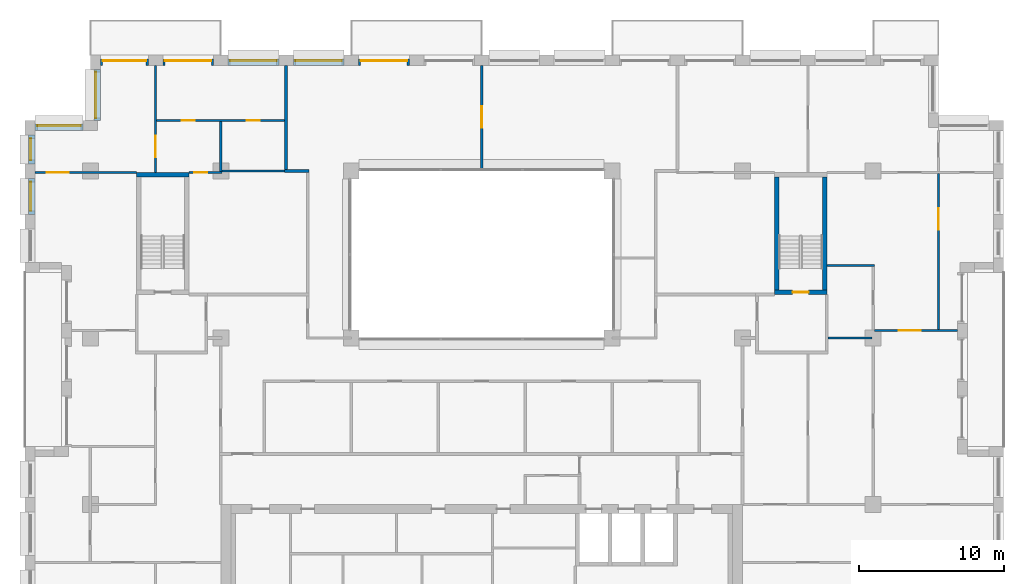
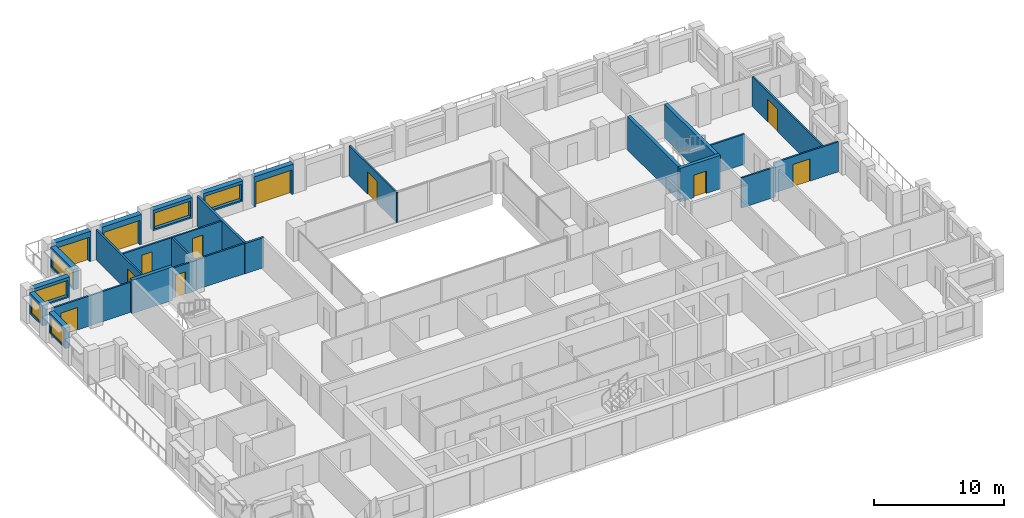
# One storey, part 12 of 16: 26 walls, 12 doors, 6 windows, 18 openings.
"""IFC4 building model written with IfcOpenShell, lengths in metres."""

from ifc_helpers import new_model, si_unit, direction, frame, frame_2d, origin, place, context, subcontext, project, spatial, rectangle, extrude, material, layer, layer_set, type_object, element, fill, save


model = new_model("IFC4")

# Units and contexts
model_context = context("Model", 3, precision=1e-05, world=origin(), true_north=direction((0.0, 1.0)))
body_context = subcontext(model_context, "Body", "Model", "MODEL_VIEW")
ifc_project = project(units=[si_unit("LENGTHUNIT", "METRE"), si_unit("AREAUNIT", "SQUARE_METRE"), si_unit("VOLUMEUNIT", "CUBIC_METRE"), si_unit("PLANEANGLEUNIT", "RADIAN"), si_unit("MASSUNIT", "GRAM", prefix="KILO")], contexts=[model_context])

# Site, building, storey
site_placement = place(None, origin())
site = spatial("IfcSite", under=ifc_project, at=site_placement, CompositionType="ELEMENT")
building_placement = place(site_placement, origin())
building = spatial("IfcBuilding", under=site, at=building_placement, Name="Brigalow Station Residences", CompositionType="ELEMENT")
storey_placement = place(building_placement, frame((0.0, 0.0, 163.35009765625)))
storey = spatial("IfcBuildingStorey", under=building, at=storey_placement, Name="L47", CompositionType="ELEMENT", Elevation=163.35009765625)

# Wall, opening, door
ifc_material_1 = material(Name="Clay brick masonry", Category="masonry")
ifc_layer_1 = layer(ifc_material_1, 0.449951171875)
ifc_layer_set_1 = layer_set([ifc_layer_1], Name="BRICK INFILL WALL 450")
wall_type_1 = type_object("IfcWallType", Name="BRICK INFILL WALL 450", PredefinedType="SOLIDWALL", material=ifc_layer_set_1)
wall_1_placement = place(storey_placement, frame((31.0, 43.02490234375, 0.0), z_axis=(0.0, 0.0, 1.0), x_axis=(-1.0, 0.0, 0.0)))
wall_1 = element("IfcWall", 1, at=wall_1_placement, inside=storey, type_object=wall_type_1, Name="L47/ewall/W-L47-30", PredefinedType="SOLIDWALL", context=body_context, shape_type="SweptSolid", body=[
    extrude(rectangle(XDim=3.5, YDim=0.449951171875, at=frame_2d((1.75, 0.0))), origin(), (0.0, 0.0, 1.0), 2.829833984375),
])
opening_1_placement = place(wall_1_placement, frame((0.14990234375, 0.0, 0.0)))
opening_1 = element("IfcOpeningElement", 2, at=opening_1_placement, cuts=wall_1, Name="Opening D-B3200", PredefinedType="OPENING", context=body_context, shape_type="SweptSolid", body=[
    extrude(rectangle(XDim=3.199951171875, YDim=2.300048828125, at=frame_2d((1.60009765625, 1.14990234375))), frame((0.0, 0.23486328125, 0.0), z_axis=(0.0, -1.0, 0.0), x_axis=(1.0, 0.0, 0.0)), (0.0, 0.0, 1.0), 0.469970703125),
])
ifc_material_2 = material(Name="Anodised aluminium frame with double glazing", Category="aluminium")
door_type_1 = type_object("IfcDoorType", Name="BALCONY SLIDING DOOR 3200x2300", OperationType="SLIDING_TO_LEFT", PredefinedType="DOOR", material=ifc_material_2)
door_1_placement = place(opening_1_placement, origin())
door_1 = element("IfcDoor", 3, at=door_1_placement, inside=storey, type_object=door_type_1, Name="L47/balcony-door/W-L47-30", OperationType="SLIDING_TO_LEFT", OverallHeight=2.300048828125, OverallWidth=3.199951171875, PredefinedType="DOOR", context=body_context, shape_type="SweptSolid", body=[
    extrude(rectangle(XDim=3.199951171875, YDim=2.300048828125, at=frame_2d((1.60009765625, 1.14990234375))), frame((0.0, -0.06982421875, 0.0), z_axis=(0.0, -1.0, 0.0), x_axis=(1.0, 0.0, 0.0)), (0.0, 0.0, 1.0), 0.050048828125),
])
fill(opening_1, door_1)

# Wall, opening, window
wall_2_placement = place(storey_placement, frame((26.5, 43.02490234375, 0.89990234375), z_axis=(0.0, 0.0, 1.0), x_axis=(-1.0, 0.0, 0.0)))
wall_2 = element("IfcWall", 4, at=wall_2_placement, inside=storey, type_object=wall_type_1, Name="L47/ewall/W-L47-31", PredefinedType="SOLIDWALL", context=body_context, shape_type="SweptSolid", body=[
    extrude(rectangle(XDim=3.5, YDim=0.449951171875, at=frame_2d((1.75, 0.0))), origin(), (0.0, 0.0, 1.0), 1.929931640625),
])
opening_2_placement = place(wall_2_placement, frame((0.14990234375, 0.0, 0.14990234375)))
opening_2 = element("IfcOpeningElement", 5, at=opening_2_placement, cuts=wall_2, Name="Opening WT-9", PredefinedType="OPENING", context=body_context, shape_type="SweptSolid", body=[
    extrude(rectangle(XDim=3.199951171875, YDim=1.5, at=frame_2d((1.60009765625, 0.75))), frame((0.0, 0.23486328125, 0.0), z_axis=(0.0, -1.0, 0.0), x_axis=(1.0, 0.0, 0.0)), (0.0, 0.0, 1.0), 0.469970703125),
])
ifc_material_3 = material(Name="Anodised aluminium frame with double glazing", Category="aluminium")
window_type_1 = type_object("IfcWindowType", Name="WINDOW 3200x1500", PartitioningType="SINGLE_PANEL", PredefinedType="WINDOW", material=ifc_material_3)
window_1_placement = place(opening_2_placement, origin())
window_1 = element("IfcWindow", 6, at=window_1_placement, inside=storey, type_object=window_type_1, Name="L47/window/W-L47-31", OverallHeight=1.5, OverallWidth=3.199951171875, PartitioningType="SINGLE_PANEL", PredefinedType="WINDOW", context=body_context, shape_type="SweptSolid", body=[
    extrude(rectangle(XDim=3.199951171875, YDim=1.5, at=frame_2d((1.60009765625, 0.75))), frame((0.0, -0.06494140625, 0.0), z_axis=(0.0, -1.0, 0.0), x_axis=(1.0, 0.0, 0.0)), (0.0, 0.0, 1.0), 0.06005859375),
])
fill(opening_2, window_1)

wall_3_placement = place(storey_placement, frame((22.0, 43.02490234375, 0.89990234375), z_axis=(0.0, 0.0, 1.0), x_axis=(-1.0, 0.0, 0.0)))
wall_3 = element("IfcWall", 7, at=wall_3_placement, inside=storey, type_object=wall_type_1, Name="L47/ewall/W-L47-32", PredefinedType="SOLIDWALL", context=body_context, shape_type="SweptSolid", body=[
    extrude(rectangle(XDim=3.5, YDim=0.449951171875, at=frame_2d((1.75, 0.0))), origin(), (0.0, 0.0, 1.0), 1.929931640625),
])
opening_3_placement = place(wall_3_placement, frame((0.14990234375, 0.0, 0.14990234375)))
opening_3 = element("IfcOpeningElement", 8, at=opening_3_placement, cuts=wall_3, Name="Opening WT-9", PredefinedType="OPENING", context=body_context, shape_type="SweptSolid", body=[
    extrude(rectangle(XDim=3.199951171875, YDim=1.5, at=frame_2d((1.60009765625, 0.75))), frame((0.0, 0.23486328125, 0.0), z_axis=(0.0, -1.0, 0.0), x_axis=(1.0, 0.0, 0.0)), (0.0, 0.0, 1.0), 0.469970703125),
])
window_2_placement = place(opening_3_placement, origin())
window_2 = element("IfcWindow", 9, at=window_2_placement, inside=storey, type_object=window_type_1, Name="L47/window/W-L47-32", OverallHeight=1.5, OverallWidth=3.199951171875, PartitioningType="SINGLE_PANEL", PredefinedType="WINDOW", context=body_context, shape_type="SweptSolid", body=[
    extrude(rectangle(XDim=3.199951171875, YDim=1.5, at=frame_2d((1.60009765625, 0.75))), frame((0.0, -0.06494140625, 0.0), z_axis=(0.0, -1.0, 0.0), x_axis=(1.0, 0.0, 0.0)), (0.0, 0.0, 1.0), 0.06005859375),
])
fill(opening_3, window_2)

# Wall, opening, door
wall_4_placement = place(storey_placement, frame((17.5, 43.02490234375, 0.0), z_axis=(0.0, 0.0, 1.0), x_axis=(-1.0, 0.0, 0.0)))
wall_4 = element("IfcWall", 10, at=wall_4_placement, inside=storey, type_object=wall_type_1, Name="L47/ewall/W-L47-33", PredefinedType="SOLIDWALL", context=body_context, shape_type="SweptSolid", body=[
    extrude(rectangle(XDim=3.5, YDim=0.449951171875, at=frame_2d((1.75, 0.0))), origin(), (0.0, 0.0, 1.0), 2.829833984375),
])
opening_4_placement = place(wall_4_placement, frame((0.14990234375, 0.0, 0.0)))
opening_4 = element("IfcOpeningElement", 11, at=opening_4_placement, cuts=wall_4, Name="Opening D-B3200", PredefinedType="OPENING", context=body_context, shape_type="SweptSolid", body=[
    extrude(rectangle(XDim=3.199951171875, YDim=2.300048828125, at=frame_2d((1.60009765625, 1.14990234375))), frame((0.0, 0.23486328125, 0.0), z_axis=(0.0, -1.0, 0.0), x_axis=(1.0, 0.0, 0.0)), (0.0, 0.0, 1.0), 0.469970703125),
])
door_2_placement = place(opening_4_placement, origin())
door_2 = element("IfcDoor", 12, at=door_2_placement, inside=storey, type_object=door_type_1, Name="L47/balcony-door/W-L47-33", OperationType="SLIDING_TO_LEFT", OverallHeight=2.300048828125, OverallWidth=3.199951171875, PredefinedType="DOOR", context=body_context, shape_type="SweptSolid", body=[
    extrude(rectangle(XDim=3.199951171875, YDim=2.300048828125, at=frame_2d((1.60009765625, 1.14990234375))), frame((0.0, -0.06982421875, 0.0), z_axis=(0.0, -1.0, 0.0), x_axis=(1.0, 0.0, 0.0)), (0.0, 0.0, 1.0), 0.050048828125),
])
fill(opening_4, door_2)

wall_5_placement = place(storey_placement, frame((13.0, 43.02490234375, 0.0), z_axis=(0.0, 0.0, 1.0), x_axis=(-1.0, 0.0, 0.0)))
wall_5 = element("IfcWall", 13, at=wall_5_placement, inside=storey, type_object=wall_type_1, Name="L47/ewall/W-L47-34", PredefinedType="SOLIDWALL", context=body_context, shape_type="SweptSolid", body=[
    extrude(rectangle(XDim=3.300048828125, YDim=0.449951171875, at=frame_2d((1.64990234375, 0.0))), origin(), (0.0, 0.0, 1.0), 2.829833984375),
])
opening_5_placement = place(wall_5_placement, frame((0.14990234375, 0.0, 0.0)))
opening_5 = element("IfcOpeningElement", 14, at=opening_5_placement, cuts=wall_5, Name="Opening D-B3000", PredefinedType="OPENING", context=body_context, shape_type="SweptSolid", body=[
    extrude(rectangle(XDim=3.0, YDim=2.300048828125, at=frame_2d((1.5, 1.14990234375))), frame((0.0, 0.23486328125, 0.0), z_axis=(0.0, -1.0, 0.0), x_axis=(1.0, 0.0, 0.0)), (0.0, 0.0, 1.0), 0.469970703125),
])
ifc_material_4 = material(Name="Anodised aluminium frame with double glazing", Category="aluminium")
door_type_2 = type_object("IfcDoorType", Name="BALCONY SLIDING DOOR 3000x2300", OperationType="SLIDING_TO_LEFT", PredefinedType="DOOR", material=ifc_material_4)
door_3_placement = place(opening_5_placement, origin())
door_3 = element("IfcDoor", 15, at=door_3_placement, inside=storey, type_object=door_type_2, Name="L47/balcony-door/W-L47-34", OperationType="SLIDING_TO_LEFT", OverallHeight=2.300048828125, OverallWidth=3.0, PredefinedType="DOOR", context=body_context, shape_type="SweptSolid", body=[
    extrude(rectangle(XDim=3.0, YDim=2.300048828125, at=frame_2d((1.5, 1.14990234375))), frame((0.0, -0.06982421875, 0.0), z_axis=(0.0, -1.0, 0.0), x_axis=(1.0, 0.0, 0.0)), (0.0, 0.0, 1.0), 0.050048828125),
])
fill(opening_5, door_3)

# Wall, opening, window
wall_6_placement = place(storey_placement, frame((9.47509765625, 42.5, 0.89990234375), z_axis=(0.0, 0.0, 1.0), x_axis=(0.0, -1.0, 0.0)))
wall_6 = element("IfcWall", 16, at=wall_6_placement, inside=storey, type_object=wall_type_1, Name="L47/ewall/W-L47-35", PredefinedType="SOLIDWALL", context=body_context, shape_type="SweptSolid", body=[
    extrude(rectangle(XDim=3.5, YDim=0.449951171875, at=frame_2d((1.75, 0.0))), origin(), (0.0, 0.0, 1.0), 1.929931640625),
])
opening_6_placement = place(wall_6_placement, frame((0.14990234375, 0.0, 0.14990234375)))
opening_6 = element("IfcOpeningElement", 17, at=opening_6_placement, cuts=wall_6, Name="Opening WT-9", PredefinedType="OPENING", context=body_context, shape_type="SweptSolid", body=[
    extrude(rectangle(XDim=3.199951171875, YDim=1.5, at=frame_2d((1.60009765625, 0.75))), frame((0.0, 0.23486328125, 0.0), z_axis=(0.0, -1.0, 0.0), x_axis=(1.0, 0.0, 0.0)), (0.0, 0.0, 1.0), 0.469970703125),
])
window_3_placement = place(opening_6_placement, origin())
window_3 = element("IfcWindow", 18, at=window_3_placement, inside=storey, type_object=window_type_1, Name="L47/window/W-L47-35", OverallHeight=1.5, OverallWidth=3.199951171875, PartitioningType="SINGLE_PANEL", PredefinedType="WINDOW", context=body_context, shape_type="SweptSolid", body=[
    extrude(rectangle(XDim=3.199951171875, YDim=1.5, at=frame_2d((1.60009765625, 0.75))), frame((0.0, -0.06494140625, 0.0), z_axis=(0.0, -1.0, 0.0), x_axis=(1.0, 0.0, 0.0)), (0.0, 0.0, 1.0), 0.06005859375),
])
fill(opening_6, window_3)

wall_7_placement = place(storey_placement, frame((8.5, 38.52490234375, 0.89990234375), z_axis=(0.0, 0.0, 1.0), x_axis=(-1.0, 0.0, 0.0)))
wall_7 = element("IfcWall", 19, at=wall_7_placement, inside=storey, type_object=wall_type_1, Name="L47/ewall/W-L47-36", PredefinedType="SOLIDWALL", context=body_context, shape_type="SweptSolid", body=[
    extrude(rectangle(XDim=3.300048828125, YDim=0.449951171875, at=frame_2d((1.64990234375, 0.0))), origin(), (0.0, 0.0, 1.0), 1.929931640625),
])
opening_7_placement = place(wall_7_placement, frame((0.14990234375, 0.0, 0.14990234375)))
opening_7 = element("IfcOpeningElement", 20, at=opening_7_placement, cuts=wall_7, Name="Opening WT-2", PredefinedType="OPENING", context=body_context, shape_type="SweptSolid", body=[
    extrude(rectangle(XDim=3.0, YDim=1.5, at=frame_2d((1.5, 0.75))), frame((0.0, 0.23486328125, 0.0), z_axis=(0.0, -1.0, 0.0), x_axis=(1.0, 0.0, 0.0)), (0.0, 0.0, 1.0), 0.469970703125),
])
ifc_material_5 = material(Name="Anodised aluminium frame with double glazing", Category="aluminium")
window_type_2 = type_object("IfcWindowType", Name="WINDOW 3000x1500", PartitioningType="SINGLE_PANEL", PredefinedType="WINDOW", material=ifc_material_5)
window_4_placement = place(opening_7_placement, origin())
window_4 = element("IfcWindow", 21, at=window_4_placement, inside=storey, type_object=window_type_2, Name="L47/window/W-L47-36", OverallHeight=1.5, OverallWidth=3.0, PartitioningType="SINGLE_PANEL", PredefinedType="WINDOW", context=body_context, shape_type="SweptSolid", body=[
    extrude(rectangle(XDim=3.0, YDim=1.5, at=frame_2d((1.5, 0.75))), frame((0.0, -0.06494140625, 0.0), z_axis=(0.0, -1.0, 0.0), x_axis=(1.0, 0.0, 0.0)), (0.0, 0.0, 1.0), 0.06005859375),
])
fill(opening_7, window_4)

wall_8_placement = place(storey_placement, frame((4.97509765625, 38.0, 0.89990234375), z_axis=(0.0, 0.0, 1.0), x_axis=(0.0, -1.0, 0.0)))
wall_8 = element("IfcWall", 22, at=wall_8_placement, inside=storey, type_object=wall_type_1, Name="L47/ewall/W-L47-37", PredefinedType="SOLIDWALL", context=body_context, shape_type="SweptSolid", body=[
    extrude(rectangle(XDim=2.0, YDim=0.449951171875, at=frame_2d((1.0, 0.0))), origin(), (0.0, 0.0, 1.0), 1.929931640625),
])
opening_8_placement = place(wall_8_placement, frame((0.25, 0.0, 0.14990234375)))
opening_8 = element("IfcOpeningElement", 23, at=opening_8_placement, cuts=wall_8, Name="Opening WT-1", PredefinedType="OPENING", context=body_context, shape_type="SweptSolid", body=[
    extrude(rectangle(XDim=1.5, YDim=1.5, at=frame_2d((0.75, 0.75))), frame((0.0, 0.23486328125, 0.0), z_axis=(0.0, -1.0, 0.0), x_axis=(1.0, 0.0, 0.0)), (0.0, 0.0, 1.0), 0.469970703125),
])
ifc_material_6 = material(Name="Anodised aluminium frame with double glazing", Category="aluminium")
window_type_3 = type_object("IfcWindowType", Name="WINDOW 1500x1500", PartitioningType="SINGLE_PANEL", PredefinedType="WINDOW", material=ifc_material_6)
window_5_placement = place(opening_8_placement, origin())
window_5 = element("IfcWindow", 24, at=window_5_placement, inside=storey, type_object=window_type_3, Name="L47/window/W-L47-37", OverallHeight=1.5, OverallWidth=1.5, PartitioningType="SINGLE_PANEL", PredefinedType="WINDOW", context=body_context, shape_type="SweptSolid", body=[
    extrude(rectangle(XDim=1.5, YDim=1.5, at=frame_2d((0.75, 0.75))), frame((0.0, -0.06494140625, 0.0), z_axis=(0.0, -1.0, 0.0), x_axis=(1.0, 0.0, 0.0)), (0.0, 0.0, 1.0), 0.06005859375),
])
fill(opening_8, window_5)

wall_9_placement = place(storey_placement, frame((4.97509765625, 35.0, 0.89990234375), z_axis=(0.0, 0.0, 1.0), x_axis=(0.0, -1.0, 0.0)))
wall_9 = element("IfcWall", 25, at=wall_9_placement, inside=storey, type_object=wall_type_1, Name="L47/ewall/W-L47-38", PredefinedType="SOLIDWALL", context=body_context, shape_type="SweptSolid", body=[
    extrude(rectangle(XDim=2.5, YDim=0.449951171875, at=frame_2d((1.25, 0.0))), origin(), (0.0, 0.0, 1.0), 1.929931640625),
])
opening_9_placement = place(wall_9_placement, frame((0.25, 0.0, 0.14990234375)))
opening_9 = element("IfcOpeningElement", 26, at=opening_9_placement, cuts=wall_9, Name="Opening WT-7", PredefinedType="OPENING", context=body_context, shape_type="SweptSolid", body=[
    extrude(rectangle(XDim=2.0, YDim=1.5, at=frame_2d((1.0, 0.75))), frame((0.0, 0.23486328125, 0.0), z_axis=(0.0, -1.0, 0.0), x_axis=(1.0, 0.0, 0.0)), (0.0, 0.0, 1.0), 0.469970703125),
])
ifc_material_7 = material(Name="Anodised aluminium frame with double glazing", Category="aluminium")
window_type_4 = type_object("IfcWindowType", Name="WINDOW 2000x1500", PartitioningType="SINGLE_PANEL", PredefinedType="WINDOW", material=ifc_material_7)
window_6_placement = place(opening_9_placement, origin())
window_6 = element("IfcWindow", 27, at=window_6_placement, inside=storey, type_object=window_type_4, Name="L47/window/W-L47-38", OverallHeight=1.5, OverallWidth=2.0, PartitioningType="SINGLE_PANEL", PredefinedType="WINDOW", context=body_context, shape_type="SweptSolid", body=[
    extrude(rectangle(XDim=2.0, YDim=1.5, at=frame_2d((1.0, 0.75))), frame((0.0, -0.06494140625, 0.0), z_axis=(0.0, -1.0, 0.0), x_axis=(1.0, 0.0, 0.0)), (0.0, 0.0, 1.0), 0.06005859375),
])
fill(opening_9, window_6)

# Wall
ifc_material_8 = material(Name="Concrete C65", Category="concrete")
ifc_layer_2 = layer(ifc_material_8, 0.300048828125)
ifc_layer_set_2 = layer_set([ifc_layer_2], Name="CORE SHEAR WALL 300 C65")
wall_type_2 = type_object("IfcWallType", Name="CORE SHEAR WALL 300 C65", PredefinedType="SHEAR", material=ifc_layer_set_2)
wall_10_placement = place(storey_placement, frame((12.199951171875, 35.25, 0.0), z_axis=(0.0, 0.0, 1.0), x_axis=(1.0, 0.0, 0.0)))
element("IfcWall", 28, at=wall_10_placement, inside=storey, type_object=wall_type_2, Name="CORE WALL ST-S1-N L47", PredefinedType="SHEAR", context=body_context, shape_type="SweptSolid", body=[
    extrude(rectangle(XDim=3.60009765625, YDim=0.300048828125, at=frame_2d((1.800048828125, 0.0))), origin(), (0.0, 0.0, 1.0), 3.14990234375),
])

# Wall, opening, door
wall_11_placement = place(storey_placement, frame((56.199951171875, 27.14990234375, 0.0), z_axis=(0.0, 0.0, 1.0), x_axis=(1.0, 0.0, 0.0)))
wall_11 = element("IfcWall", 29, at=wall_11_placement, inside=storey, type_object=wall_type_2, Name="CORE WALL ST-S3-S L47", PredefinedType="SHEAR", context=body_context, shape_type="SweptSolid", body=[
    extrude(rectangle(XDim=3.60009765625, YDim=0.300048828125, at=frame_2d((1.800048828125, 0.0))), origin(), (0.0, 0.0, 1.0), 3.14990234375),
])
opening_10_placement = place(wall_11_placement, frame((1.25, 0.0, 0.0)))
opening_10 = element("IfcOpeningElement", 30, at=opening_10_placement, cuts=wall_11, Name="Opening D-5018", PredefinedType="OPENING", context=body_context, shape_type="SweptSolid", body=[
    extrude(rectangle(XDim=1.10009765625, YDim=2.10009765625, at=frame_2d((0.550048828125, 1.050048828125))), frame((0.0, 0.16015625, 0.0), z_axis=(0.0, -1.0, 0.0), x_axis=(1.0, 0.0, 0.0)), (0.0, 0.0, 1.0), 0.320068359375),
])
ifc_material_9 = material(Name="Steel fire door leaf in steel frame", Category="steel")
door_type_3 = type_object("IfcDoorType", Name="STAIR DOOR 1100 x 2100 FD60S", OperationType="SINGLE_SWING_LEFT", PredefinedType="DOOR", material=ifc_material_9)
door_4_placement = place(opening_10_placement, origin())
door_4 = element("IfcDoor", 31, at=door_4_placement, inside=storey, type_object=door_type_3, Name="D-5018", OperationType="SINGLE_SWING_LEFT", OverallHeight=2.10009765625, OverallWidth=1.10009765625, PredefinedType="DOOR", context=body_context, shape_type="SweptSolid", body=[
    extrude(rectangle(XDim=1.10009765625, YDim=2.10009765625, at=frame_2d((0.550048828125, 1.050048828125))), frame((0.0, 0.02490234375, 0.0), z_axis=(0.0, -1.0, 0.0), x_axis=(1.0, 0.0, 0.0)), (0.0, 0.0, 1.0), 0.050048828125),
])
fill(opening_10, door_4)

# Walls
for number, where, z_axis, x_axis, name in (
    (32, (56.35009765625, 27.300048828125, 0.0), (0.0, 0.0, 1.0), (0.0, 1.0, 0.0), "CORE WALL ST-S3-W L47"),
    (33, (59.64990234375, 27.300048828125, 0.0), (0.0, 0.0, 1.0), (0.0, 1.0, 0.0), "CORE WALL ST-S3-E L47"),
):
    element("IfcWall", number, at=place(storey_placement, frame(where, z_axis=z_axis, x_axis=x_axis)), inside=storey, type_object=wall_type_2, Name=name, PredefinedType="SHEAR", context=body_context, shape_type="SweptSolid", body=[
        extrude(rectangle(XDim=7.800048828125, YDim=0.300048828125, at=frame_2d((3.89990234375, 0.0))), origin(), (0.0, 0.0, 1.0), 3.14990234375),
    ])
ifc_material_10 = material(Name="Plasterboard on steel stud partition", Category="steel")
ifc_layer_3 = layer(ifc_material_10, 0.14990234375)
ifc_layer_set_3 = layer_set([ifc_layer_3], Name="FLAT PARTITION 150")
wall_type_3 = type_object("IfcWallType", Name="FLAT PARTITION 150", PredefinedType="PARTITIONING", material=ifc_layer_set_3)
wall_12_placement = place(storey_placement, frame((59.89990234375, 24.0, 0.0), z_axis=(0.0, 0.0, 1.0), x_axis=(1.0, 0.0, 0.0)))
element("IfcWall", 34, at=wall_12_placement, inside=storey, type_object=wall_type_3, Name="PW-3C03", PredefinedType="PARTITIONING", context=body_context, shape_type="SweptSolid", body=[
    extrude(rectangle(XDim=3.025146484375, YDim=0.14990234375, at=frame_2d((1.5126953125, 0.0))), origin(), (0.0, 0.0, 1.0), 2.829833984375),
])

# Wall, opening, door
wall_13_placement = place(storey_placement, frame((63.074951171875, 24.5, 0.0), z_axis=(0.0, 0.0, 1.0), x_axis=(1.0, 0.0, 0.0)))
wall_13 = element("IfcWall", 35, at=wall_13_placement, inside=storey, type_object=wall_type_3, Name="PW-3C15", PredefinedType="PARTITIONING", context=body_context, shape_type="SweptSolid", body=[
    extrude(rectangle(XDim=5.72509765625, YDim=0.14990234375, at=frame_2d((2.862548828125, 0.0))), origin(), (0.0, 0.0, 1.0), 2.829833984375),
])
opening_11_placement = place(wall_13_placement, frame((1.699951171875, 0.0, 0.0)))
opening_11 = element("IfcOpeningElement", 36, at=opening_11_placement, cuts=wall_13, Name="Opening D-3C23", PredefinedType="OPENING", context=body_context, shape_type="SweptSolid", body=[
    extrude(rectangle(XDim=1.5, YDim=2.10009765625, at=frame_2d((0.75, 1.050048828125))), frame((0.0, 0.0849609375, 0.0), z_axis=(0.0, -1.0, 0.0), x_axis=(1.0, 0.0, 0.0)), (0.0, 0.0, 1.0), 0.169921875),
])
ifc_material_11 = material(Name="Solid-core timber door leaf", Category="wood")
door_type_4 = type_object("IfcDoorType", Name="INTERNAL DOUBLE DOOR 1500 x 2100", OperationType="DOUBLE_DOOR_SINGLE_SWING", PredefinedType="DOOR", material=ifc_material_11)
door_5_placement = place(opening_11_placement, origin())
door_5 = element("IfcDoor", 37, at=door_5_placement, inside=storey, type_object=door_type_4, Name="D-3C23", OperationType="DOUBLE_DOOR_SINGLE_SWING", OverallHeight=2.10009765625, OverallWidth=1.5, PredefinedType="DOOR", context=body_context, shape_type="SweptSolid", body=[
    extrude(rectangle(XDim=1.5, YDim=2.10009765625, at=frame_2d((0.75, 1.050048828125))), frame((0.0, 0.02490234375, 0.0), z_axis=(0.0, -1.0, 0.0), x_axis=(1.0, 0.0, 0.0)), (0.0, 0.0, 1.0), 0.050048828125),
])
fill(opening_11, door_5)

wall_14_placement = place(storey_placement, frame((5.199951171875, 35.39990234375, 0.0), z_axis=(0.0, 0.0, 1.0), x_axis=(1.0, 0.0, 0.0)))
wall_14 = element("IfcWall", 38, at=wall_14_placement, inside=storey, type_object=wall_type_3, Name="PW-3C16", PredefinedType="PARTITIONING", context=body_context, shape_type="SweptSolid", body=[
    extrude(rectangle(XDim=7.0, YDim=0.14990234375, at=frame_2d((3.5, 0.0))), origin(), (0.0, 0.0, 1.0), 2.829833984375),
])
opening_12_placement = place(wall_14_placement, frame((0.800048828125, 0.0, 0.0)))
opening_12 = element("IfcOpeningElement", 39, at=opening_12_placement, cuts=wall_14, Name="Opening D-3C10", PredefinedType="OPENING", context=body_context, shape_type="SweptSolid", body=[
    extrude(rectangle(XDim=1.5, YDim=2.10009765625, at=frame_2d((0.75, 1.050048828125))), frame((0.0, 0.0849609375, 0.0), z_axis=(0.0, -1.0, 0.0), x_axis=(1.0, 0.0, 0.0)), (0.0, 0.0, 1.0), 0.169921875),
])
door_6_placement = place(opening_12_placement, origin())
door_6 = element("IfcDoor", 40, at=door_6_placement, inside=storey, type_object=door_type_4, Name="D-3C10", OperationType="DOUBLE_DOOR_SINGLE_SWING", OverallHeight=2.10009765625, OverallWidth=1.5, PredefinedType="DOOR", context=body_context, shape_type="SweptSolid", body=[
    extrude(rectangle(XDim=1.5, YDim=2.10009765625, at=frame_2d((0.75, 1.050048828125))), frame((0.0, 0.02490234375, 0.0), z_axis=(0.0, -1.0, 0.0), x_axis=(1.0, 0.0, 0.0)), (0.0, 0.0, 1.0), 0.050048828125),
])
fill(opening_12, door_6)

wall_15_placement = place(storey_placement, frame((15.800048828125, 35.39990234375, 0.0), z_axis=(0.0, 0.0, 1.0), x_axis=(1.0, 0.0, 0.0)))
wall_15 = element("IfcWall", 41, at=wall_15_placement, inside=storey, type_object=wall_type_3, Name="PW-3C17", PredefinedType="PARTITIONING", context=body_context, shape_type="SweptSolid", body=[
    extrude(rectangle(XDim=2.27490234375, YDim=0.14990234375, at=frame_2d((1.137451171875, 0.0))), origin(), (0.0, 0.0, 1.0), 2.829833984375),
])
opening_13_placement = place(wall_15_placement, frame((0.375, 0.0, 0.0)))
opening_13 = element("IfcOpeningElement", 42, at=opening_13_placement, cuts=wall_15, Name="Opening D-3C14", PredefinedType="OPENING", context=body_context, shape_type="SweptSolid", body=[
    extrude(rectangle(XDim=0.89990234375, YDim=2.10009765625, at=frame_2d((0.449951171875, 1.050048828125))), frame((0.0, 0.0849609375, 0.0), z_axis=(0.0, -1.0, 0.0), x_axis=(1.0, 0.0, 0.0)), (0.0, 0.0, 1.0), 0.169921875),
])
ifc_material_12 = material(Name="Solid-core timber door leaf", Category="wood")
door_type_5 = type_object("IfcDoorType", Name="INTERNAL DOOR 900 x 2100", OperationType="SINGLE_SWING_LEFT", PredefinedType="DOOR", material=ifc_material_12)
door_7_placement = place(opening_13_placement, frame((0.89990234375, 0.0, 0.0), z_axis=(0.0, 0.0, 1.0), x_axis=(-1.0, 0.0, 0.0)))
door_7 = element("IfcDoor", 43, at=door_7_placement, inside=storey, type_object=door_type_5, Name="D-3C14", OperationType="SINGLE_SWING_RIGHT", OverallHeight=2.10009765625, OverallWidth=0.89990234375, PredefinedType="DOOR", context=body_context, shape_type="SweptSolid", body=[
    extrude(rectangle(XDim=0.89990234375, YDim=2.10009765625, at=frame_2d((0.449951171875, 1.050048828125))), frame((0.0, 0.02490234375, 0.0), z_axis=(0.0, -1.0, 0.0), x_axis=(1.0, 0.0, 0.0)), (0.0, 0.0, 1.0), 0.050048828125),
])
fill(opening_13, door_7)

# Wall, openings, doors
wall_16_placement = place(storey_placement, frame((13.574951171875, 39.0, 0.0), z_axis=(0.0, 0.0, 1.0), x_axis=(1.0, 0.0, 0.0)))
wall_16 = element("IfcWall", 44, at=wall_16_placement, inside=storey, type_object=wall_type_3, Name="PW-3C20", PredefinedType="PARTITIONING", context=body_context, shape_type="SweptSolid", body=[
    extrude(rectangle(XDim=8.824951171875, YDim=0.14990234375, at=frame_2d((4.41259765625, 0.0))), origin(), (0.0, 0.0, 1.0), 2.829833984375),
])
opening_14_placement = place(wall_16_placement, frame((1.72509765625, 0.0, 0.0)))
opening_14 = element("IfcOpeningElement", 45, at=opening_14_placement, cuts=wall_16, Name="Opening D-3C12", PredefinedType="OPENING", context=body_context, shape_type="SweptSolid", body=[
    extrude(rectangle(XDim=0.89990234375, YDim=2.10009765625, at=frame_2d((0.449951171875, 1.050048828125))), frame((0.0, 0.0849609375, 0.0), z_axis=(0.0, -1.0, 0.0), x_axis=(1.0, 0.0, 0.0)), (0.0, 0.0, 1.0), 0.169921875),
])
opening_15_placement = place(wall_16_placement, frame((6.22509765625, 0.0, 0.0)))
opening_15 = element("IfcOpeningElement", 46, at=opening_15_placement, cuts=wall_16, Name="Opening D-3C13", PredefinedType="OPENING", context=body_context, shape_type="SweptSolid", body=[
    extrude(rectangle(XDim=0.89990234375, YDim=2.10009765625, at=frame_2d((0.449951171875, 1.050048828125))), frame((0.0, 0.0849609375, 0.0), z_axis=(0.0, -1.0, 0.0), x_axis=(1.0, 0.0, 0.0)), (0.0, 0.0, 1.0), 0.169921875),
])
door_8_placement = place(opening_14_placement, origin())
door_8 = element("IfcDoor", 47, at=door_8_placement, inside=storey, type_object=door_type_5, Name="D-3C12", OperationType="SINGLE_SWING_LEFT", OverallHeight=2.10009765625, OverallWidth=0.89990234375, PredefinedType="DOOR", context=body_context, shape_type="SweptSolid", body=[
    extrude(rectangle(XDim=0.89990234375, YDim=2.10009765625, at=frame_2d((0.449951171875, 1.050048828125))), frame((0.0, 0.02490234375, 0.0), z_axis=(0.0, -1.0, 0.0), x_axis=(1.0, 0.0, 0.0)), (0.0, 0.0, 1.0), 0.050048828125),
])
fill(opening_14, door_8)
door_9_placement = place(opening_15_placement, frame((0.89990234375, 0.0, 0.0), z_axis=(0.0, 0.0, 1.0), x_axis=(-1.0, 0.0, 0.0)))
door_9 = element("IfcDoor", 48, at=door_9_placement, inside=storey, type_object=door_type_5, Name="D-3C13", OperationType="SINGLE_SWING_LEFT", OverallHeight=2.10009765625, OverallWidth=0.89990234375, PredefinedType="DOOR", context=body_context, shape_type="SweptSolid", body=[
    extrude(rectangle(XDim=0.89990234375, YDim=2.10009765625, at=frame_2d((0.449951171875, 1.050048828125))), frame((0.0, 0.02490234375, 0.0), z_axis=(0.0, -1.0, 0.0), x_axis=(1.0, 0.0, 0.0)), (0.0, 0.0, 1.0), 0.050048828125),
])
fill(opening_15, door_9)

# Walls
wall_17_placement = place(storey_placement, frame((18.074951171875, 35.5, 0.0), z_axis=(0.0, 0.0, 1.0), x_axis=(1.0, 0.0, 0.0)))
element("IfcWall", 49, at=wall_17_placement, inside=storey, type_object=wall_type_3, Name="PW-3C21", PredefinedType="PARTITIONING", context=body_context, shape_type="SweptSolid", body=[
    extrude(rectangle(XDim=4.525146484375, YDim=0.14990234375, at=frame_2d((2.2626953125, 0.0))), origin(), (0.0, 0.0, 1.0), 2.829833984375),
])
wall_18_placement = place(storey_placement, frame((59.800048828125, 29.0, 0.0), z_axis=(0.0, 0.0, 1.0), x_axis=(1.0, 0.0, 0.0)))
element("IfcWall", 50, at=wall_18_placement, inside=storey, type_object=wall_type_3, Name="PW-3C24", PredefinedType="PARTITIONING", context=body_context, shape_type="SweptSolid", body=[
    extrude(rectangle(XDim=3.27490234375, YDim=0.14990234375, at=frame_2d((1.637451171875, 0.0))), origin(), (0.0, 0.0, 1.0), 2.829833984375),
])
wall_19_placement = place(storey_placement, frame((18.0, 35.47509765625, 0.0), z_axis=(0.0, 0.0, 1.0), x_axis=(0.0, 1.0, 0.0)))
element("IfcWall", 51, at=wall_19_placement, inside=storey, type_object=wall_type_3, Name="PW-3C27", PredefinedType="PARTITIONING", context=body_context, shape_type="SweptSolid", body=[
    extrude(rectangle(XDim=3.449951171875, YDim=0.14990234375, at=frame_2d((1.72509765625, 0.0))), origin(), (0.0, 0.0, 1.0), 2.829833984375),
])

# Wall, opening, door
wall_20_placement = place(storey_placement, frame((13.5, 35.39990234375, 0.0), z_axis=(0.0, 0.0, 1.0), x_axis=(0.0, 1.0, 0.0)))
wall_20 = element("IfcWall", 52, at=wall_20_placement, inside=storey, type_object=wall_type_3, Name="PW-3C38", PredefinedType="PARTITIONING", context=body_context, shape_type="SweptSolid", body=[
    extrude(rectangle(XDim=7.400146484375, YDim=0.14990234375, at=frame_2d((3.7001953125, 0.0))), origin(), (0.0, 0.0, 1.0), 2.829833984375),
])
opening_16_placement = place(wall_20_placement, frame((1.050048828125, 0.0, 0.0)))
opening_16 = element("IfcOpeningElement", 53, at=opening_16_placement, cuts=wall_20, Name="Opening D-3C11", PredefinedType="OPENING", context=body_context, shape_type="SweptSolid", body=[
    extrude(rectangle(XDim=1.5, YDim=2.10009765625, at=frame_2d((0.75, 1.050048828125))), frame((0.0, 0.0849609375, 0.0), z_axis=(0.0, -1.0, 0.0), x_axis=(1.0, 0.0, 0.0)), (0.0, 0.0, 1.0), 0.169921875),
])
door_10_placement = place(opening_16_placement, origin())
door_10 = element("IfcDoor", 54, at=door_10_placement, inside=storey, type_object=door_type_4, Name="D-3C11", OperationType="DOUBLE_DOOR_SINGLE_SWING", OverallHeight=2.10009765625, OverallWidth=1.5, PredefinedType="DOOR", context=body_context, shape_type="SweptSolid", body=[
    extrude(rectangle(XDim=1.5, YDim=2.10009765625, at=frame_2d((0.75, 1.050048828125))), frame((0.0, 0.02490234375, 0.0), z_axis=(0.0, -1.0, 0.0), x_axis=(1.0, 0.0, 0.0)), (0.0, 0.0, 1.0), 0.050048828125),
])
fill(opening_16, door_10)

wall_21_placement = place(storey_placement, frame((67.5, 24.574951171875, 0.0), z_axis=(0.0, 0.0, 1.0), x_axis=(0.0, 1.0, 0.0)))
wall_21 = element("IfcWall", 55, at=wall_21_placement, inside=storey, type_object=wall_type_3, Name="PW-3C46", PredefinedType="PARTITIONING", context=body_context, shape_type="SweptSolid", body=[
    extrude(rectangle(XDim=10.75, YDim=0.14990234375, at=frame_2d((5.375, 0.0))), origin(), (0.0, 0.0, 1.0), 2.829833984375),
])
opening_17_placement = place(wall_21_placement, frame((6.875, 0.0, 0.0)))
opening_17 = element("IfcOpeningElement", 56, at=opening_17_placement, cuts=wall_21, Name="Opening D-3C25", PredefinedType="OPENING", context=body_context, shape_type="SweptSolid", body=[
    extrude(rectangle(XDim=1.5, YDim=2.10009765625, at=frame_2d((0.75, 1.050048828125))), frame((0.0, 0.0849609375, 0.0), z_axis=(0.0, -1.0, 0.0), x_axis=(1.0, 0.0, 0.0)), (0.0, 0.0, 1.0), 0.169921875),
])
door_11_placement = place(opening_17_placement, frame((1.5, 0.0, 0.0), z_axis=(0.0, 0.0, 1.0), x_axis=(-1.0, 0.0, 0.0)))
door_11 = element("IfcDoor", 57, at=door_11_placement, inside=storey, type_object=door_type_4, Name="D-3C25", OperationType="DOUBLE_DOOR_SINGLE_SWING", OverallHeight=2.10009765625, OverallWidth=1.5, PredefinedType="DOOR", context=body_context, shape_type="SweptSolid", body=[
    extrude(rectangle(XDim=1.5, YDim=2.10009765625, at=frame_2d((0.75, 1.050048828125))), frame((0.0, 0.02490234375, 0.0), z_axis=(0.0, -1.0, 0.0), x_axis=(1.0, 0.0, 0.0)), (0.0, 0.0, 1.0), 0.050048828125),
])
fill(opening_17, door_11)

wall_22_placement = place(storey_placement, frame((36.0, 35.5, 0.0), z_axis=(0.0, 0.0, 1.0), x_axis=(0.0, 1.0, 0.0)))
wall_22 = element("IfcWall", 58, at=wall_22_placement, inside=storey, type_object=wall_type_3, Name="PW-3C50", PredefinedType="PARTITIONING", context=body_context, shape_type="SweptSolid", body=[
    extrude(rectangle(XDim=7.300048828125, YDim=0.14990234375, at=frame_2d((3.64990234375, 0.0))), origin(), (0.0, 0.0, 1.0), 2.829833984375),
])
opening_18_placement = place(wall_22_placement, frame((2.97509765625, 0.0, 0.0)))
opening_18 = element("IfcOpeningElement", 59, at=opening_18_placement, cuts=wall_22, Name="Opening D-3C33", PredefinedType="OPENING", context=body_context, shape_type="SweptSolid", body=[
    extrude(rectangle(XDim=1.5, YDim=2.10009765625, at=frame_2d((0.75, 1.050048828125))), frame((0.0, 0.0849609375, 0.0), z_axis=(0.0, -1.0, 0.0), x_axis=(1.0, 0.0, 0.0)), (0.0, 0.0, 1.0), 0.169921875),
])
door_12_placement = place(opening_18_placement, frame((1.5, 0.0, 0.0), z_axis=(0.0, 0.0, 1.0), x_axis=(-1.0, 0.0, 0.0)))
door_12 = element("IfcDoor", 60, at=door_12_placement, inside=storey, type_object=door_type_4, Name="D-3C33", OperationType="DOUBLE_DOOR_SINGLE_SWING", OverallHeight=2.10009765625, OverallWidth=1.5, PredefinedType="DOOR", context=body_context, shape_type="SweptSolid", body=[
    extrude(rectangle(XDim=1.5, YDim=2.10009765625, at=frame_2d((0.75, 1.050048828125))), frame((0.0, 0.02490234375, 0.0), z_axis=(0.0, -1.0, 0.0), x_axis=(1.0, 0.0, 0.0)), (0.0, 0.0, 1.0), 0.050048828125),
])
fill(opening_18, door_12)

# Walls
ifc_material_13 = material(Name="Plasterboard on steel stud partition", Category="steel")
ifc_layer_4 = layer(ifc_material_13, 0.199951171875)
ifc_layer_set_4 = layer_set([ifc_layer_4], Name="PARTY AND CORRIDOR WALL 200")
wall_type_4 = type_object("IfcWallType", Name="PARTY AND CORRIDOR WALL 200", PredefinedType="PARTITIONING", material=ifc_layer_set_4)
wall_23_placement = place(storey_placement, frame((22.39990234375, 35.5, 0.0), z_axis=(0.0, 0.0, 1.0), x_axis=(1.0, 0.0, 0.0)))
element("IfcWall", 61, at=wall_23_placement, inside=storey, type_object=wall_type_4, Name="PW-3C22", PredefinedType="PARTITIONING", context=body_context, shape_type="SweptSolid", body=[
    extrude(rectangle(XDim=1.7001953125, YDim=0.199951171875, at=frame_2d((0.85009765625, 0.0))), origin(), (0.0, 0.0, 1.0), 2.829833984375),
])
wall_24_placement = place(storey_placement, frame((22.5, 35.574951171875, 0.0), z_axis=(0.0, 0.0, 1.0), x_axis=(0.0, 1.0, 0.0)))
element("IfcWall", 62, at=wall_24_placement, inside=storey, type_object=wall_type_4, Name="PW-3C40", PredefinedType="PARTITIONING", context=body_context, shape_type="SweptSolid", body=[
    extrude(rectangle(XDim=7.22509765625, YDim=0.199951171875, at=frame_2d((3.612548828125, 0.0))), origin(), (0.0, 0.0, 1.0), 2.829833984375),
])

save(model, "model.ifc")
